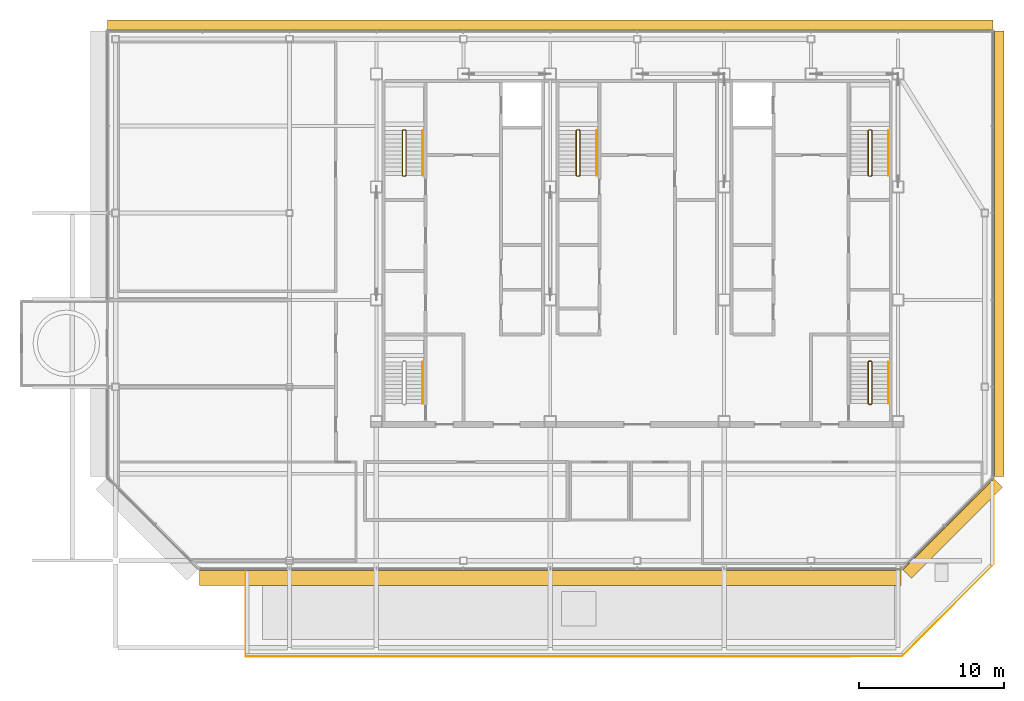
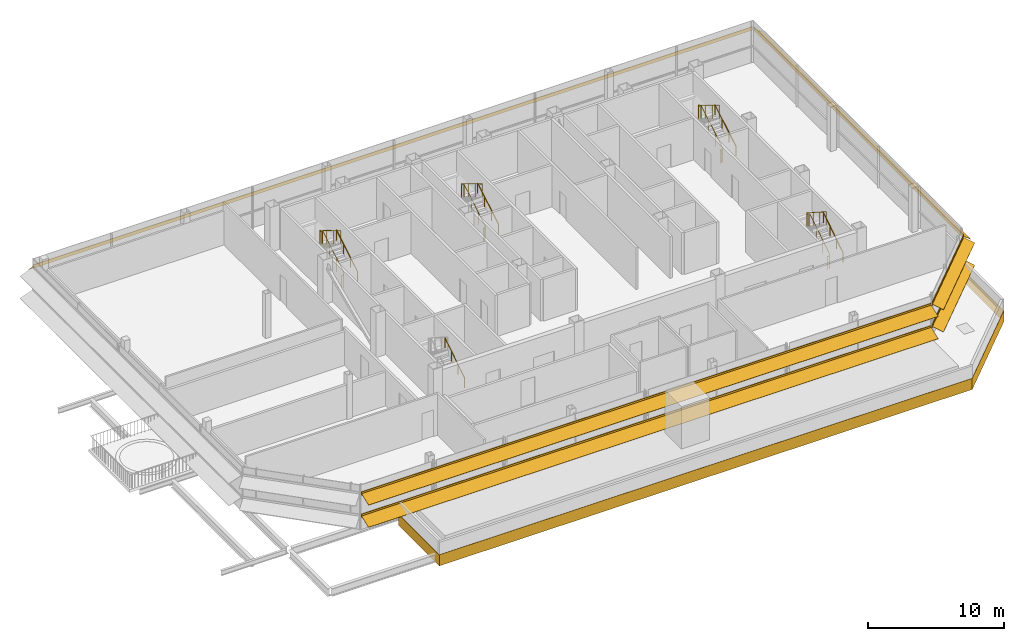
# One storey, part 25 of 26: 9 railings, 4 shading devices, 1 covering.
"""IFC4 building model written with IfcOpenShell, lengths in metres."""

import ifcopenshell
import ifcopenshell.guid

model = None  # the IFC model being written
_history = None  # IfcOwnerHistory: only IFC2X3 demands one
_inside = {}  # id of a spatial element -> (the spatial element, [elements in it])
_under = {}  # id of a project, library or spatial element -> (it, [spatial elements below it])
_declared = {}  # id of a project -> (the project, [libraries it declares])
_typed = {}  # id of a type object -> (the type object, [elements of that type])
_made_of = {}  # id of a material, layer set ... -> (it, [elements and type objects made of it])


def new_model(schema):
    """Start an empty IFC model of exactly this schema.

    Asked for "IFC4X3", IfcOpenShell would pick the latest addendum, in which some entities
    have other attributes; the version numbers below select the first issue.
    IFC2X3 requires an IfcOwnerHistory on every rooted entity: one is made here for all.
    """
    global model, _history
    if schema == "IFC4X3":
        model = ifcopenshell.file(schema_version=(4, 3, 0, 0))
    else:
        model = ifcopenshell.file(schema=schema)
    _inside.clear()
    _under.clear()
    _declared.clear()
    _typed.clear()
    _made_of.clear()
    _history = None
    if model.schema == "IFC2X3":
        org = make("IfcOrganization", Name="unknown")
        user = make(
            "IfcPersonAndOrganization",
            ThePerson=make("IfcPerson", FamilyName="unknown"),
            TheOrganization=org,
        )
        app = make(
            "IfcApplication",
            ApplicationDeveloper=org,
            Version="unknown",
            ApplicationFullName="unknown",
            ApplicationIdentifier="unknown",
        )
        _history = make(
            "IfcOwnerHistory",
            OwningUser=user,
            OwningApplication=app,
            ChangeAction="ADDED",
            CreationDate=0,
        )
    return model


def make(cls, **values):
    """One entity of the class cls with the attributes given. An attribute that is None is left unset."""
    return model.create_entity(
        cls, **{name: value for name, value in values.items() if value is not None}
    )


def rooted(cls, **values):
    """An entity with a GlobalId (a new one), such as an element, a storey or a relation."""
    return make(cls, GlobalId=ifcopenshell.guid.new(), OwnerHistory=_history, **values)


def si_unit(unit_type, name, prefix=None):
    """IfcSIUnit, for example si_unit("LENGTHUNIT", "METRE", prefix="MILLI")."""
    return make("IfcSIUnit", UnitType=unit_type, Prefix=prefix, Name=name)


def assignment(units):
    """IfcUnitAssignment: the units of a project."""
    return None if units is None else make("IfcUnitAssignment", Units=units)


def point(xyz):
    """IfcCartesianPoint."""
    return None if xyz is None else make("IfcCartesianPoint", Coordinates=xyz)


def direction(xyz):
    """IfcDirection."""
    return None if xyz is None else make("IfcDirection", DirectionRatios=xyz)


def frame(location, z_axis=None, x_axis=None):
    """IfcAxis2Placement3D, a coordinate frame: its origin and axes. An axis left out is left unset."""
    return make(
        "IfcAxis2Placement3D",
        Location=point(location),
        Axis=direction(z_axis),
        RefDirection=direction(x_axis),
    )


def frame_2d(location, x_axis=None):
    """IfcAxis2Placement2D, a coordinate frame in the plane: its origin and x axis."""
    return make(
        "IfcAxis2Placement2D", Location=point(location), RefDirection=direction(x_axis)
    )


def origin():
    """The frame at (0, 0, 0) with its axes left unset."""
    return frame((0.0, 0.0, 0.0))


def origin_2d():
    """The frame at (0, 0) in the plane with its x axis left unset."""
    return frame_2d((0.0, 0.0))


def place(relative_to, where):
    """IfcLocalPlacement: puts the frame where relative to a parent placement (None: the world)."""
    return make(
        "IfcLocalPlacement", PlacementRelTo=relative_to, RelativePlacement=where
    )


def context(
    kind, dimensions, precision=None, world=None, true_north=None, identifier=None
):
    """IfcGeometricRepresentationContext, for example the 3D "Model" context."""
    return make(
        "IfcGeometricRepresentationContext",
        ContextIdentifier=identifier,
        ContextType=kind,
        CoordinateSpaceDimension=dimensions,
        Precision=precision,
        WorldCoordinateSystem=world,
        TrueNorth=true_north,
    )


def subcontext(parent, identifier, kind, view, scale=None):
    """IfcGeometricRepresentationSubContext, for example "Body" below "Model"."""
    return make(
        "IfcGeometricRepresentationSubContext",
        ContextIdentifier=identifier,
        ContextType=kind,
        ParentContext=parent,
        TargetScale=scale,
        TargetView=view,
    )


def project(units=None, contexts=None):
    """IfcProject with its units and contexts."""
    return rooted(
        "IfcProject",
        Name="project",
        RepresentationContexts=contexts,
        UnitsInContext=assignment(units),
    )


def spatial(cls, under=None, at=None, **own):
    """A site, building, storey or space (cls), placed at a placement, below another one or the project."""
    s = rooted(cls, ObjectPlacement=at, **own)
    if under is not None:
        _under.setdefault(under.id(), (under, []))[1].append(s)
    return s


def polyline(points):
    """IfcPolyline through the points."""
    return make("IfcPolyline", Points=[point(p) for p in points])


def profile(cls, at=None, kind="AREA", **sizes):
    """A parametric profile (cls). Its sizes go by their IFC names, for example OverallWidth=200.0."""
    return make(cls, ProfileType=kind, Position=at, **sizes)


def circle(**sizes):
    """IfcCircleProfileDef."""
    return profile("IfcCircleProfileDef", **sizes)


def outline(outer, holes=None, kind="AREA"):
    """IfcArbitraryClosedProfileDef: a profile drawn as a closed curve; with holes, ...WithVoids."""
    if holes is None:
        return make("IfcArbitraryClosedProfileDef", ProfileType=kind, OuterCurve=outer)
    return make(
        "IfcArbitraryProfileDefWithVoids",
        ProfileType=kind,
        OuterCurve=outer,
        InnerCurves=holes,
    )


def composite_profile(profiles, kind="AREA"):
    """IfcCompositeProfileDef: several profiles as one."""
    return make("IfcCompositeProfileDef", ProfileType=kind, Profiles=profiles)


def extrude(swept, where, along, depth):
    """IfcExtrudedAreaSolid: the profile swept, set in the frame where, extruded along a direction by depth."""
    return make(
        "IfcExtrudedAreaSolid",
        SweptArea=swept,
        Position=where,
        ExtrudedDirection=direction(along),
        Depth=depth,
    )


def shape(context_of_items, identifier, shape_type, items):
    """IfcShapeRepresentation: the items that make up one representation, for example the "Body"."""
    return make(
        "IfcShapeRepresentation",
        ContextOfItems=context_of_items,
        RepresentationIdentifier=identifier,
        RepresentationType=shape_type,
        Items=items,
    )


def material(Name=None, Category=None):
    """IfcMaterial."""
    return make("IfcMaterial", Name=Name, Category=Category)


def layer(
    of_material, thickness, ventilated=None, Name=None, Category=None, Priority=None
):
    """IfcMaterialLayer: one layer of a wall or slab, of a material (None: an air gap)."""
    return make(
        "IfcMaterialLayer",
        Material=of_material,
        LayerThickness=thickness,
        IsVentilated=ventilated,
        Name=Name,
        Category=Category,
        Priority=Priority,
    )


def layer_set(layers, Name=None):
    """IfcMaterialLayerSet."""
    return make("IfcMaterialLayerSet", MaterialLayers=layers, LayerSetName=Name)


def made_of(thing, what):
    """Note that an element or type object is made of a material, layer set ...; save() writes the relation."""
    if what is not None:
        _made_of.setdefault(what.id(), (what, []))[1].append(thing)
    return thing


def type_object(cls, material=None, **own):
    """A type object (cls), such as IfcWallType, which elements share."""
    return made_of(rooted(cls, **own), material)


def element(
    cls,
    number,
    at=None,
    inside=None,
    cuts=None,
    type_object=None,
    material=None,
    context=None,
    identifier="Body",
    shape_type=None,
    held_by="IfcProductDefinitionShape",
    body=None,
    shapes=None,
    **own,
):
    """One element of the class cls, such as IfcWall. Its Tag is "e" and its number.

    at: its placement. inside: the storey or other place that contains it. cuts: it is an
    opening in that element (IfcRelVoidsElement). A single representation is given by context,
    identifier, shape_type and body (its items); several are given by shapes. held_by: the class
    of the entity that holds the representations. save() writes the other relations.
    """
    e = rooted(cls, Tag="e%d" % number, ObjectPlacement=at, **own)
    if body is not None:
        shapes = [shape(context, identifier, shape_type, body)]
    if shapes is not None:
        e.Representation = make(held_by, Representations=shapes)
    if inside is not None:
        _inside.setdefault(inside.id(), (inside, []))[1].append(e)
    if cuts is not None:
        rooted(
            "IfcRelVoidsElement", RelatingBuildingElement=cuts, RelatedOpeningElement=e
        )
    if type_object is not None:
        _typed.setdefault(type_object.id(), (type_object, []))[1].append(e)
    return made_of(e, material)


def aggregate(whole, parts):
    """IfcRelAggregates: a whole, such as a stair, and the parts it consists of."""
    return rooted("IfcRelAggregates", RelatingObject=whole, RelatedObjects=parts)


def save(model, path):
    """Write the relations noted so far, then the file.

    IfcRelAggregates (storeys below a building ...), IfcRelContainedInSpatialStructure (elements
    in a storey), IfcRelDefinesByType, IfcRelAssociatesMaterial and IfcRelDeclares: one each for
    every whole, place, type object, material and project.
    """
    for whole, parts in _under.values():
        aggregate(whole, parts)
    for where, things in _inside.values():
        rooted(
            "IfcRelContainedInSpatialStructure",
            RelatedElements=things,
            RelatingStructure=where,
        )
    for kind, things in _typed.values():
        rooted("IfcRelDefinesByType", RelatedObjects=things, RelatingType=kind)
    for what, things in _made_of.values():
        rooted("IfcRelAssociatesMaterial", RelatedObjects=things, RelatingMaterial=what)
    for by, libraries in _declared.values():
        rooted("IfcRelDeclares", RelatingContext=by, RelatedDefinitions=libraries)
    model.write(path)


model = new_model("IFC4")

# Units and contexts
model_context = context("Model", 3, precision=1e-05, world=origin(), true_north=direction((0.0, 1.0)))
body_context = subcontext(model_context, "Body", "Model", "MODEL_VIEW")
ifc_project = project(units=[si_unit("LENGTHUNIT", "METRE"), si_unit("AREAUNIT", "SQUARE_METRE"), si_unit("VOLUMEUNIT", "CUBIC_METRE"), si_unit("PLANEANGLEUNIT", "RADIAN"), si_unit("MASSUNIT", "GRAM", prefix="KILO")], contexts=[model_context])

# Site, building, storey
site_placement = place(None, origin())
site = spatial("IfcSite", under=ifc_project, at=site_placement, CompositionType="ELEMENT")
building_placement = place(site_placement, origin())
building = spatial("IfcBuilding", under=site, at=building_placement, Name="Sorahane Residences", CompositionType="ELEMENT")
storey_placement = place(building_placement, frame((0.0, 0.0, 337.800048828125)))
storey = spatial("IfcBuildingStorey", under=building, at=storey_placement, Name="L80", CompositionType="ELEMENT", Elevation=337.800048828125)

# Covering
ifc_material_1 = material(Name="Dark bronze aluminium", Category="aluminium")
ifc_layer = layer(ifc_material_1, 0.02001953125)
ifc_layer_set = layer_set([ifc_layer], Name="Edge fascia dark bronze aluminium 20")
covering_type = type_object("IfcCoveringType", Name="Edge fascia dark bronze aluminium 20", PredefinedType="CLADDING", material=ifc_layer_set)
covering_placement = place(storey_placement, frame((0.0, 0.0, -1.0)))
element("IfcCovering", 1, at=covering_placement, inside=storey, type_object=covering_type, Name="Edge fascia L80.1.1", PredefinedType="CLADDING", context=body_context, shape_type="SweptSolid", body=[
    extrude(outline(polyline([(48.62109375, 11.742919921875), (42.257080078125, 5.37890625), (-3.02099609375, 5.37890625), (-3.02099609375, 11.389892578125), (-3.0009765625, 11.389892578125), (-3.0009765625, 5.39892578125), (42.248779296875, 5.39892578125), (48.60107421875, 11.751220703125), (48.60107421875, 17.7373046875), (48.62109375, 17.7373046875), (48.62109375, 11.742919921875)])), origin(), (0.0, 0.0, 1.0), 1.0),
])

# Shading devices
ifc_material_2 = material(Name="Terracotta anodised aluminium", Category="masonry")
shading_device_type_1 = type_object("IfcShadingDeviceType", Name="Louvre sunshade blade E terracotta aluminium 700", PredefinedType="JALOUSIE", material=ifc_material_2)
shading_device_1_placement = place(storey_placement, frame((48.60009765625, 17.801513671875, 3.0), z_axis=(0.0, 1.0, 0.0), x_axis=(-1.0, 0.0, 0.0)))
element("IfcShadingDevice", 2, at=shading_device_1_placement, inside=storey, type_object=shading_device_type_1, Name="Louvre sunshade blade bank E L80 E1", PredefinedType="JALOUSIE", context=body_context, shape_type="SweptSolid", body=[
    extrude(outline(polyline([(-0.719970703125, -0.49365234375), (-0.719970703125, -0.523681640625), (-0.080078125, -0.05859375), (-0.080078125, -0.14990234375), (-0.02001953125, -0.14990234375), (-0.02001953125, -0.014892578125), (-0.02001953125, 0.014892578125), (-0.02001953125, 0.14990234375), (-0.080078125, 0.14990234375), (-0.080078125, -0.028564453125), (-0.719970703125, -0.49365234375)])), origin(), (0.0, 0.0, 1.0), 30.74853515625),
])
ifc_material_3 = material(Name="Terracotta anodised aluminium", Category="masonry")
shading_device_type_2 = type_object("IfcShadingDeviceType", Name="Louvre sunshade blade N terracotta aluminium 700", PredefinedType="JALOUSIE", material=ifc_material_3)
shading_device_2_placement = place(storey_placement, frame((48.550048828125, 48.60009765625, 3.0), z_axis=(-1.0, 0.0, 0.0), x_axis=(0.0, -1.0, 0.0)))
element("IfcShadingDevice", 3, at=shading_device_2_placement, inside=storey, type_object=shading_device_type_2, Name="Louvre sunshade blade bank N L80 N1", PredefinedType="JALOUSIE", context=body_context, shape_type="SweptSolid", body=[
    extrude(outline(polyline([(-0.719970703125, -0.660888671875), (-0.719970703125, -0.69091796875), (-0.080078125, -0.072998046875), (-0.080078125, -0.14990234375), (-0.02001953125, -0.14990234375), (-0.02001953125, -0.014892578125), (-0.02001953125, 0.014892578125), (-0.02001953125, 0.14990234375), (-0.080078125, 0.14990234375), (-0.080078125, -0.04296875), (-0.719970703125, -0.660888671875)])), origin(), (0.0, 0.0, 1.0), 61.10009765625),
])
ifc_material_4 = material(Name="Terracotta anodised aluminium", Category="masonry")
shading_device_type_3 = type_object("IfcShadingDeviceType", Name="Louvre sunshade blade S terracotta aluminium 1100", PredefinedType="JALOUSIE", material=ifc_material_4)
shading_device_3_placement = place(storey_placement, frame((-6.198486328125, 11.39990234375, 1.0), z_axis=(1.0, 0.0, 0.0), x_axis=(0.0, 1.0, 0.0)))
element("IfcShadingDevice", 4, at=shading_device_3_placement, inside=storey, type_object=shading_device_type_3, Name="Louvre sunshade blade bank S L80 S1", PredefinedType="JALOUSIE", context=body_context, shape_type="SweptSolid", body=[
    extrude(composite_profile([outline(polyline([(-1.1201171875, -0.385498046875), (-1.1201171875, -0.415283203125), (-0.080078125, -0.036865234375), (-0.080078125, -0.14990234375), (-0.02001953125, -0.14990234375), (-0.02001953125, -0.014892578125), (-0.02001953125, 0.014892578125), (-0.02001953125, 0.14990234375), (-0.080078125, 0.14990234375), (-0.080078125, -0.0068359375), (-1.1201171875, -0.385498046875)])), outline(polyline([(-1.1201171875, 1.614501953125), (-1.1201171875, 1.584716796875), (-0.080078125, 1.963134765625), (-0.080078125, 1.85009765625), (-0.02001953125, 1.85009765625), (-0.02001953125, 1.985107421875), (-0.02001953125, 2.014892578125), (-0.02001953125, 2.14990234375), (-0.080078125, 2.14990234375), (-0.080078125, 1.9931640625), (-1.1201171875, 1.614501953125)]))]), origin(), (0.0, 0.0, 1.0), 48.39697265625),
])
ifc_material_5 = material(Name="Terracotta anodised aluminium", Category="masonry")
shading_device_type_4 = type_object("IfcShadingDeviceType", Name="Louvre sunshade blade SE terracotta aluminium 900", PredefinedType="JALOUSIE", material=ifc_material_5)
shading_device_4_placement = place(storey_placement, frame((42.283935546875, 11.435302734375, 1.0), z_axis=(0.707106781187, 0.707106781187, 0.0), x_axis=(-0.707106781187, 0.707106781187, 0.0)))
element("IfcShadingDevice", 5, at=shading_device_4_placement, inside=storey, type_object=shading_device_type_4, Name="Louvre sunshade blade bank SE L80 SE1", PredefinedType="JALOUSIE", context=body_context, shape_type="SweptSolid", body=[
    extrude(composite_profile([outline(polyline([(-0.919921875, -0.3486328125), (-0.919921875, -0.378662109375), (-0.080078125, -0.039306640625), (-0.080078125, -0.14990234375), (-0.02001953125, -0.14990234375), (-0.02001953125, -0.014892578125), (-0.02001953125, 0.014892578125), (-0.02001953125, 0.14990234375), (-0.080078125, 0.14990234375), (-0.080078125, -0.00927734375), (-0.919921875, -0.3486328125)])), outline(polyline([(-0.919921875, 1.6513671875), (-0.919921875, 1.621337890625), (-0.080078125, 1.960693359375), (-0.080078125, 1.85009765625), (-0.02001953125, 1.85009765625), (-0.02001953125, 1.985107421875), (-0.02001953125, 2.014892578125), (-0.02001953125, 2.14990234375), (-0.080078125, 2.14990234375), (-0.080078125, 1.99072265625), (-0.919921875, 1.6513671875)]))]), origin(), (0.0, 0.0, 1.0), 8.88232421875),
])

# Railings
ifc_material_6 = material(Name="Steel Q355B", Category="steel")
railing_type_1 = type_object("IfcRailingType", Name="Stair guard 1200 Steel Q355B", PredefinedType="GUARDRAIL", material=ifc_material_6)
railing_1_placement = place(storey_placement, frame((7.85009765625, 38.550048828125, 0.0)))
element("IfcRailing", 6, at=railing_1_placement, inside=storey, type_object=railing_type_1, Name="L80 S1 stair guard 1", PredefinedType="GUARDRAIL", context=body_context, shape_type="SweptSolid", body=[
    extrude(circle(Radius=0.02392578125, at=origin_2d()), frame((0.0, 0.0, 1.17578125), z_axis=(1.0, 0.0, 0.0), x_axis=(0.0, 1.0, 0.0)), (0.0, 0.0, 1.0), 0.14990234375),
    extrude(circle(Radius=0.02392578125, at=origin_2d()), frame((0.14990234375, 0.0, 1.17578125), z_axis=(0.27662974545, 0.27662974545, 0.920299933644), x_axis=(-0.707106781187, 0.707106781187, 0.0)), (0.0, 0.0, 1.0), 0.180908203125),
    extrude(circle(Radius=0.02392578125, at=origin_2d()), frame((0.199951171875, 0.050048828125, 1.34228515625), z_axis=(0.0, 0.859260807169, 0.511537745687), x_axis=(-1.0, 0.0, 0.0)), (0.0, 0.0, 1.0), 3.584228515625),
    extrude(circle(Radius=0.02392578125, at=origin_2d()), frame((0.199951171875, 3.1298828125, 3.17578125), z_axis=(-0.707106781187, 0.707106781187, 0.0), x_axis=(-0.707106781187, -0.707106781187, 0.0)), (0.0, 0.0, 1.0), 0.07080078125),
    extrude(circle(Radius=0.02392578125, at=origin_2d()), frame((0.14990234375, 3.179931640625, 3.17578125), z_axis=(-1.0, 0.0, 0.0), x_axis=(0.0, -1.0, 0.0)), (0.0, 0.0, 1.0), 0.14990234375),
    extrude(circle(Radius=0.02392578125, at=origin_2d()), frame((0.0, 3.179931640625, 3.17578125), z_axis=(-0.27662974545, -0.27662974545, 0.920299933644), x_axis=(0.707106781187, -0.707106781187, 0.0)), (0.0, 0.0, 1.0), 0.180908203125),
    extrude(circle(Radius=0.02392578125, at=origin_2d()), frame((-0.050048828125, 3.1298828125, 3.34228515625), z_axis=(0.0, -0.859260807169, 0.511537745687), x_axis=(1.0, 0.0, 0.0)), (0.0, 0.0, 1.0), 3.584228515625),
    extrude(circle(Radius=0.02099609375, at=origin_2d()), origin(), (0.0, 0.0, 1.0), 1.15185546875),
    extrude(circle(Radius=0.02099609375, at=origin_2d()), frame((0.14990234375, 0.0, 0.0)), (0.0, 0.0, 1.0), 1.15185546875),
    extrude(circle(Radius=0.02099609375, at=origin_2d()), frame((0.199951171875, 0.050048828125, 0.16650390625)), (0.0, 0.0, 1.0), 1.15185546875),
    extrude(circle(Radius=0.02099609375, at=origin_2d()), frame((0.199951171875, 1.07666015625, 0.777587890625)), (0.0, 0.0, 1.0), 1.15185546875),
    extrude(circle(Radius=0.02099609375, at=origin_2d()), frame((0.199951171875, 2.103271484375, 1.388916015625)), (0.0, 0.0, 1.0), 1.15185546875),
    extrude(circle(Radius=0.02099609375, at=origin_2d()), frame((0.199951171875, 3.1298828125, 2.0)), (0.0, 0.0, 1.0), 1.15185546875),
    extrude(circle(Radius=0.02099609375, at=origin_2d()), frame((0.14990234375, 3.179931640625, 2.0)), (0.0, 0.0, 1.0), 1.15185546875),
    extrude(circle(Radius=0.02099609375, at=origin_2d()), frame((0.0, 3.179931640625, 2.0)), (0.0, 0.0, 1.0), 1.15185546875),
    extrude(circle(Radius=0.02099609375, at=origin_2d()), frame((-0.050048828125, 3.1298828125, 2.16650390625)), (0.0, 0.0, 1.0), 1.15185546875),
    extrude(circle(Radius=0.02099609375, at=origin_2d()), frame((-0.050048828125, 2.103271484375, 2.777587890625)), (0.0, 0.0, 1.0), 1.15185546875),
    extrude(circle(Radius=0.02099609375, at=origin_2d()), frame((-0.050048828125, 1.07666015625, 3.388916015625)), (0.0, 0.0, 1.0), 1.15185546875),
    extrude(circle(Radius=0.02099609375, at=origin_2d()), frame((-0.050048828125, 0.050048828125, 4.0)), (0.0, 0.0, 1.0), 1.15185546875),
])
railing_2_placement = place(storey_placement, frame((40.0, 38.550048828125, 0.0)))
element("IfcRailing", 7, at=railing_2_placement, inside=storey, type_object=railing_type_1, Name="L80 S2 stair guard 1", PredefinedType="GUARDRAIL", context=body_context, shape_type="SweptSolid", body=[
    extrude(circle(Radius=0.02392578125, at=origin_2d()), frame((0.0, 0.0, 1.17578125), z_axis=(1.0, 0.0, 0.0), x_axis=(0.0, 1.0, 0.0)), (0.0, 0.0, 1.0), 0.14990234375),
    extrude(circle(Radius=0.02392578125, at=origin_2d()), frame((0.14990234375, 0.0, 1.17578125), z_axis=(0.27662974545, 0.27662974545, 0.920299933644), x_axis=(-0.707106781187, 0.707106781187, 0.0)), (0.0, 0.0, 1.0), 0.180908203125),
    extrude(circle(Radius=0.02392578125, at=origin_2d()), frame((0.199951171875, 0.050048828125, 1.34228515625), z_axis=(0.0, 0.859260807169, 0.511537745687), x_axis=(-1.0, 0.0, 0.0)), (0.0, 0.0, 1.0), 3.584228515625),
    extrude(circle(Radius=0.02392578125, at=origin_2d()), frame((0.199951171875, 3.1298828125, 3.17578125), z_axis=(-0.707106781187, 0.707106781187, 0.0), x_axis=(-0.707106781187, -0.707106781187, 0.0)), (0.0, 0.0, 1.0), 0.07080078125),
    extrude(circle(Radius=0.02392578125, at=origin_2d()), frame((0.14990234375, 3.179931640625, 3.17578125), z_axis=(-1.0, 0.0, 0.0), x_axis=(0.0, -1.0, 0.0)), (0.0, 0.0, 1.0), 0.14990234375),
    extrude(circle(Radius=0.02392578125, at=origin_2d()), frame((0.0, 3.179931640625, 3.17578125), z_axis=(-0.27662974545, -0.27662974545, 0.920299933644), x_axis=(0.707106781187, -0.707106781187, 0.0)), (0.0, 0.0, 1.0), 0.180908203125),
    extrude(circle(Radius=0.02392578125, at=origin_2d()), frame((-0.050048828125, 3.1298828125, 3.34228515625), z_axis=(0.0, -0.859260807169, 0.511537745687), x_axis=(1.0, 0.0, 0.0)), (0.0, 0.0, 1.0), 3.584228515625),
    extrude(circle(Radius=0.02099609375, at=origin_2d()), origin(), (0.0, 0.0, 1.0), 1.15185546875),
    extrude(circle(Radius=0.02099609375, at=origin_2d()), frame((0.14990234375, 0.0, 0.0)), (0.0, 0.0, 1.0), 1.15185546875),
    extrude(circle(Radius=0.02099609375, at=origin_2d()), frame((0.199951171875, 0.050048828125, 0.16650390625)), (0.0, 0.0, 1.0), 1.15185546875),
    extrude(circle(Radius=0.02099609375, at=origin_2d()), frame((0.199951171875, 1.07666015625, 0.777587890625)), (0.0, 0.0, 1.0), 1.15185546875),
    extrude(circle(Radius=0.02099609375, at=origin_2d()), frame((0.199951171875, 2.103271484375, 1.388916015625)), (0.0, 0.0, 1.0), 1.15185546875),
    extrude(circle(Radius=0.02099609375, at=origin_2d()), frame((0.199951171875, 3.1298828125, 2.0)), (0.0, 0.0, 1.0), 1.15185546875),
    extrude(circle(Radius=0.02099609375, at=origin_2d()), frame((0.14990234375, 3.179931640625, 2.0)), (0.0, 0.0, 1.0), 1.15185546875),
    extrude(circle(Radius=0.02099609375, at=origin_2d()), frame((0.0, 3.179931640625, 2.0)), (0.0, 0.0, 1.0), 1.15185546875),
    extrude(circle(Radius=0.02099609375, at=origin_2d()), frame((-0.050048828125, 3.1298828125, 2.16650390625)), (0.0, 0.0, 1.0), 1.15185546875),
    extrude(circle(Radius=0.02099609375, at=origin_2d()), frame((-0.050048828125, 2.103271484375, 2.777587890625)), (0.0, 0.0, 1.0), 1.15185546875),
    extrude(circle(Radius=0.02099609375, at=origin_2d()), frame((-0.050048828125, 1.07666015625, 3.388916015625)), (0.0, 0.0, 1.0), 1.15185546875),
    extrude(circle(Radius=0.02099609375, at=origin_2d()), frame((-0.050048828125, 0.050048828125, 4.0)), (0.0, 0.0, 1.0), 1.15185546875),
])
railing_3_placement = place(storey_placement, frame((19.85009765625, 38.550048828125, 0.0)))
element("IfcRailing", 8, at=railing_3_placement, inside=storey, type_object=railing_type_1, Name="L80 S3 stair guard 1", PredefinedType="GUARDRAIL", context=body_context, shape_type="SweptSolid", body=[
    extrude(circle(Radius=0.02392578125, at=origin_2d()), frame((0.0, 0.0, 1.17578125), z_axis=(1.0, 0.0, 0.0), x_axis=(0.0, 1.0, 0.0)), (0.0, 0.0, 1.0), 0.14990234375),
    extrude(circle(Radius=0.02392578125, at=origin_2d()), frame((0.14990234375, 0.0, 1.17578125), z_axis=(0.27662974545, 0.27662974545, 0.920299933644), x_axis=(-0.707106781187, 0.707106781187, 0.0)), (0.0, 0.0, 1.0), 0.180908203125),
    extrude(circle(Radius=0.02392578125, at=origin_2d()), frame((0.199951171875, 0.050048828125, 1.34228515625), z_axis=(0.0, 0.859260807169, 0.511537745687), x_axis=(-1.0, 0.0, 0.0)), (0.0, 0.0, 1.0), 3.584228515625),
    extrude(circle(Radius=0.02392578125, at=origin_2d()), frame((0.199951171875, 3.1298828125, 3.17578125), z_axis=(-0.707106781187, 0.707106781187, 0.0), x_axis=(-0.707106781187, -0.707106781187, 0.0)), (0.0, 0.0, 1.0), 0.07080078125),
    extrude(circle(Radius=0.02392578125, at=origin_2d()), frame((0.14990234375, 3.179931640625, 3.17578125), z_axis=(-1.0, 0.0, 0.0), x_axis=(0.0, -1.0, 0.0)), (0.0, 0.0, 1.0), 0.14990234375),
    extrude(circle(Radius=0.02392578125, at=origin_2d()), frame((0.0, 3.179931640625, 3.17578125), z_axis=(-0.27662974545, -0.27662974545, 0.920299933644), x_axis=(0.707106781187, -0.707106781187, 0.0)), (0.0, 0.0, 1.0), 0.180908203125),
    extrude(circle(Radius=0.02392578125, at=origin_2d()), frame((-0.050048828125, 3.1298828125, 3.34228515625), z_axis=(0.0, -0.859260807169, 0.511537745687), x_axis=(1.0, 0.0, 0.0)), (0.0, 0.0, 1.0), 3.584228515625),
    extrude(circle(Radius=0.02099609375, at=origin_2d()), origin(), (0.0, 0.0, 1.0), 1.15185546875),
    extrude(circle(Radius=0.02099609375, at=origin_2d()), frame((0.14990234375, 0.0, 0.0)), (0.0, 0.0, 1.0), 1.15185546875),
    extrude(circle(Radius=0.02099609375, at=origin_2d()), frame((0.199951171875, 0.050048828125, 0.16650390625)), (0.0, 0.0, 1.0), 1.15185546875),
    extrude(circle(Radius=0.02099609375, at=origin_2d()), frame((0.199951171875, 1.07666015625, 0.777587890625)), (0.0, 0.0, 1.0), 1.15185546875),
    extrude(circle(Radius=0.02099609375, at=origin_2d()), frame((0.199951171875, 2.103271484375, 1.388916015625)), (0.0, 0.0, 1.0), 1.15185546875),
    extrude(circle(Radius=0.02099609375, at=origin_2d()), frame((0.199951171875, 3.1298828125, 2.0)), (0.0, 0.0, 1.0), 1.15185546875),
    extrude(circle(Radius=0.02099609375, at=origin_2d()), frame((0.14990234375, 3.179931640625, 2.0)), (0.0, 0.0, 1.0), 1.15185546875),
    extrude(circle(Radius=0.02099609375, at=origin_2d()), frame((0.0, 3.179931640625, 2.0)), (0.0, 0.0, 1.0), 1.15185546875),
    extrude(circle(Radius=0.02099609375, at=origin_2d()), frame((-0.050048828125, 3.1298828125, 2.16650390625)), (0.0, 0.0, 1.0), 1.15185546875),
    extrude(circle(Radius=0.02099609375, at=origin_2d()), frame((-0.050048828125, 2.103271484375, 2.777587890625)), (0.0, 0.0, 1.0), 1.15185546875),
    extrude(circle(Radius=0.02099609375, at=origin_2d()), frame((-0.050048828125, 1.07666015625, 3.388916015625)), (0.0, 0.0, 1.0), 1.15185546875),
    extrude(circle(Radius=0.02099609375, at=origin_2d()), frame((-0.050048828125, 0.050048828125, 4.0)), (0.0, 0.0, 1.0), 1.15185546875),
])
railing_4_placement = place(storey_placement, frame((40.0, 22.800048828125, 0.0)))
element("IfcRailing", 9, at=railing_4_placement, inside=storey, type_object=railing_type_1, Name="L80 S5 stair guard 1", PredefinedType="GUARDRAIL", context=body_context, shape_type="SweptSolid", body=[
    extrude(circle(Radius=0.02392578125, at=origin_2d()), frame((0.0, 0.0, 1.17578125), z_axis=(1.0, 0.0, 0.0), x_axis=(0.0, 1.0, 0.0)), (0.0, 0.0, 1.0), 0.14990234375),
    extrude(circle(Radius=0.02392578125, at=origin_2d()), frame((0.14990234375, 0.0, 1.17578125), z_axis=(0.27662974545, 0.27662974545, 0.920299933644), x_axis=(-0.707106781187, 0.707106781187, 0.0)), (0.0, 0.0, 1.0), 0.180908203125),
    extrude(circle(Radius=0.02392578125, at=origin_2d()), frame((0.199951171875, 0.050048828125, 1.34228515625), z_axis=(0.0, 0.841845648701, 0.539718355963), x_axis=(-1.0, 0.0, 0.0)), (0.0, 0.0, 1.0), 3.397216796875),
    extrude(circle(Radius=0.02392578125, at=origin_2d()), frame((0.199951171875, 2.909912109375, 3.17578125), z_axis=(-0.707106781187, 0.707106781187, 0.0), x_axis=(-0.707106781187, -0.707106781187, 0.0)), (0.0, 0.0, 1.0), 0.07080078125),
    extrude(circle(Radius=0.02392578125, at=origin_2d()), frame((0.14990234375, 2.9599609375, 3.17578125), z_axis=(-1.0, 0.0, 0.0), x_axis=(0.0, -1.0, 0.0)), (0.0, 0.0, 1.0), 0.14990234375),
    extrude(circle(Radius=0.02392578125, at=origin_2d()), frame((0.0, 2.9599609375, 3.17578125), z_axis=(-0.27662974545, -0.27662974545, 0.920299933644), x_axis=(0.707106781187, -0.707106781187, 0.0)), (0.0, 0.0, 1.0), 0.180908203125),
    extrude(circle(Radius=0.02392578125, at=origin_2d()), frame((-0.050048828125, 2.909912109375, 3.34228515625), z_axis=(0.0, -0.841845648701, 0.539718355963), x_axis=(1.0, 0.0, 0.0)), (0.0, 0.0, 1.0), 3.397216796875),
    extrude(circle(Radius=0.02099609375, at=origin_2d()), origin(), (0.0, 0.0, 1.0), 1.15185546875),
    extrude(circle(Radius=0.02099609375, at=origin_2d()), frame((0.14990234375, 0.0, 0.0)), (0.0, 0.0, 1.0), 1.15185546875),
    extrude(circle(Radius=0.02099609375, at=origin_2d()), frame((0.199951171875, 0.050048828125, 0.16650390625)), (0.0, 0.0, 1.0), 1.15185546875),
    extrude(circle(Radius=0.02099609375, at=origin_2d()), frame((0.199951171875, 1.00341796875, 0.777587890625)), (0.0, 0.0, 1.0), 1.15185546875),
    extrude(circle(Radius=0.02099609375, at=origin_2d()), frame((0.199951171875, 1.95654296875, 1.388916015625)), (0.0, 0.0, 1.0), 1.15185546875),
    extrude(circle(Radius=0.02099609375, at=origin_2d()), frame((0.199951171875, 2.909912109375, 2.0)), (0.0, 0.0, 1.0), 1.15185546875),
    extrude(circle(Radius=0.02099609375, at=origin_2d()), frame((0.14990234375, 2.9599609375, 2.0)), (0.0, 0.0, 1.0), 1.15185546875),
    extrude(circle(Radius=0.02099609375, at=origin_2d()), frame((0.0, 2.9599609375, 2.0)), (0.0, 0.0, 1.0), 1.15185546875),
    extrude(circle(Radius=0.02099609375, at=origin_2d()), frame((-0.050048828125, 2.909912109375, 2.16650390625)), (0.0, 0.0, 1.0), 1.15185546875),
    extrude(circle(Radius=0.02099609375, at=origin_2d()), frame((-0.050048828125, 1.95654296875, 2.777587890625)), (0.0, 0.0, 1.0), 1.15185546875),
    extrude(circle(Radius=0.02099609375, at=origin_2d()), frame((-0.050048828125, 1.00341796875, 3.388916015625)), (0.0, 0.0, 1.0), 1.15185546875),
    extrude(circle(Radius=0.02099609375, at=origin_2d()), frame((-0.050048828125, 0.050048828125, 4.0)), (0.0, 0.0, 1.0), 1.15185546875),
])
ifc_material_7 = material(Name="Steel Q355B", Category="steel")
railing_type_2 = type_object("IfcRailingType", Name="Stair handrail 900 Steel Q355B", PredefinedType="HANDRAIL", material=ifc_material_7)
for number, where, name in (
    (10, (9.199951171875, 38.60009765625, 0.16650390625), "L80 S1 stair handrail 1"),
    (11, (41.35009765625, 38.60009765625, 0.16650390625), "L80 S2 stair handrail 1"),
    (12, (21.199951171875, 38.60009765625, 0.16650390625), "L80 S3 stair handrail 1"),
):
    element("IfcRailing", number, at=place(storey_placement, frame(where)), inside=storey, type_object=railing_type_2, Name=name, PredefinedType="HANDRAIL", context=body_context, shape_type="SweptSolid", body=[
        extrude(circle(Radius=0.02392578125, at=origin_2d()), frame((0.0, 0.0, 0.8759765625), z_axis=(0.0, 0.859260807169, 0.511537745687), x_axis=(-1.0, 0.0, 0.0)), (0.0, 0.0, 1.0), 3.584228515625),
        extrude(circle(Radius=0.02099609375, at=origin_2d()), origin(), (0.0, 0.0, 1.0), 0.851806640625),
        extrude(circle(Radius=0.02099609375, at=origin_2d()), frame((0.0, 1.026611328125, 0.611083984375)), (0.0, 0.0, 1.0), 0.851806640625),
        extrude(circle(Radius=0.02099609375, at=origin_2d()), frame((0.0, 2.05322265625, 1.222412109375)), (0.0, 0.0, 1.0), 0.851806640625),
        extrude(circle(Radius=0.02099609375, at=origin_2d()), frame((0.0, 3.079833984375, 1.83349609375)), (0.0, 0.0, 1.0), 0.851806640625),
    ])
for number, where, name in (
    (13, (9.199951171875, 22.85009765625, 0.16650390625), "L80 S4 stair handrail 1"),
    (14, (41.35009765625, 22.85009765625, 0.16650390625), "L80 S5 stair handrail 1"),
):
    element("IfcRailing", number, at=place(storey_placement, frame(where)), inside=storey, type_object=railing_type_2, Name=name, PredefinedType="HANDRAIL", context=body_context, shape_type="SweptSolid", body=[
        extrude(circle(Radius=0.02392578125, at=origin_2d()), frame((0.0, 0.0, 0.8759765625), z_axis=(0.0, 0.841845648701, 0.539718355963), x_axis=(-1.0, 0.0, 0.0)), (0.0, 0.0, 1.0), 3.397216796875),
        extrude(circle(Radius=0.02099609375, at=origin_2d()), origin(), (0.0, 0.0, 1.0), 0.851806640625),
        extrude(circle(Radius=0.02099609375, at=origin_2d()), frame((0.0, 0.953369140625, 0.611083984375)), (0.0, 0.0, 1.0), 0.851806640625),
        extrude(circle(Radius=0.02099609375, at=origin_2d()), frame((0.0, 1.906494140625, 1.222412109375)), (0.0, 0.0, 1.0), 0.851806640625),
        extrude(circle(Radius=0.02099609375, at=origin_2d()), frame((0.0, 2.85986328125, 1.83349609375)), (0.0, 0.0, 1.0), 0.851806640625),
    ])

save(model, "model.ifc")
